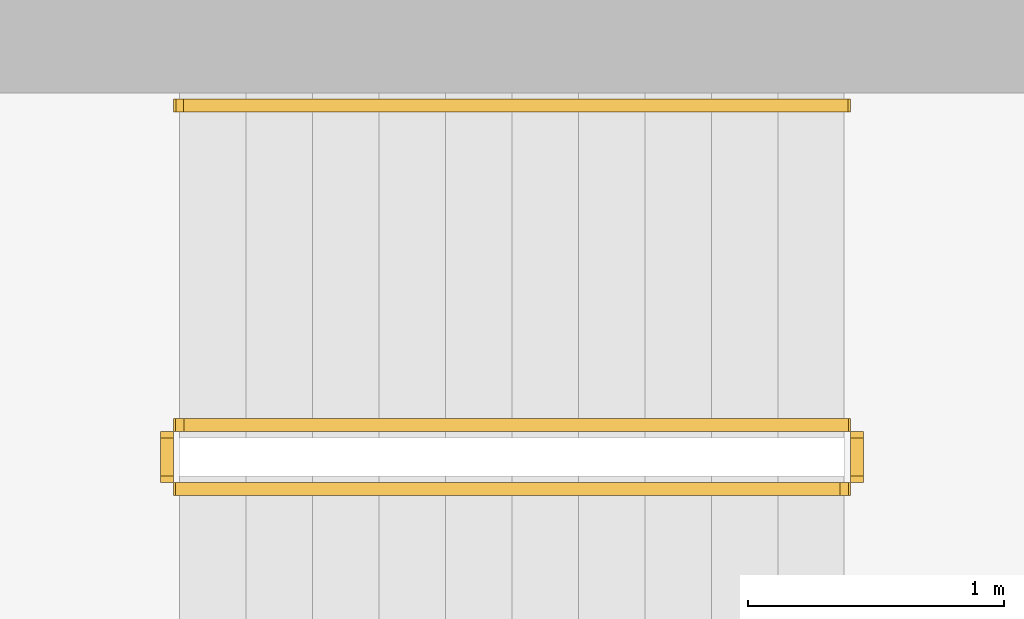
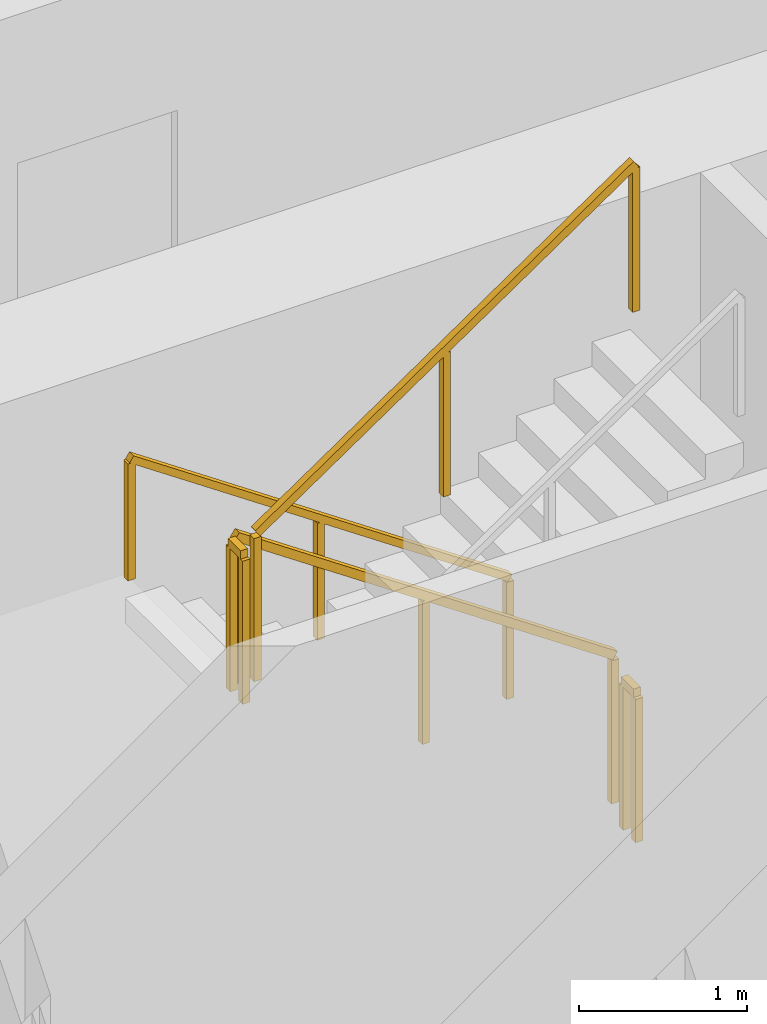
# One storey, part 15 of 16: 5 railings.
"""IFC4 building model written with IfcOpenShell, lengths in metres."""

import ifcopenshell
import ifcopenshell.guid

model = None  # the IFC model being written
_history = None  # IfcOwnerHistory: only IFC2X3 demands one
_inside = {}  # id of a spatial element -> (the spatial element, [elements in it])
_under = {}  # id of a project, library or spatial element -> (it, [spatial elements below it])
_declared = {}  # id of a project -> (the project, [libraries it declares])
_typed = {}  # id of a type object -> (the type object, [elements of that type])
_made_of = {}  # id of a material, layer set ... -> (it, [elements and type objects made of it])


def new_model(schema):
    """Start an empty IFC model of exactly this schema.

    Asked for "IFC4X3", IfcOpenShell would pick the latest addendum, in which some entities
    have other attributes; the version numbers below select the first issue.
    IFC2X3 requires an IfcOwnerHistory on every rooted entity: one is made here for all.
    """
    global model, _history
    if schema == "IFC4X3":
        model = ifcopenshell.file(schema_version=(4, 3, 0, 0))
    else:
        model = ifcopenshell.file(schema=schema)
    _inside.clear()
    _under.clear()
    _declared.clear()
    _typed.clear()
    _made_of.clear()
    _history = None
    if model.schema == "IFC2X3":
        org = make("IfcOrganization", Name="unknown")
        user = make(
            "IfcPersonAndOrganization",
            ThePerson=make("IfcPerson", FamilyName="unknown"),
            TheOrganization=org,
        )
        app = make(
            "IfcApplication",
            ApplicationDeveloper=org,
            Version="unknown",
            ApplicationFullName="unknown",
            ApplicationIdentifier="unknown",
        )
        _history = make(
            "IfcOwnerHistory",
            OwningUser=user,
            OwningApplication=app,
            ChangeAction="ADDED",
            CreationDate=0,
        )
    return model


def make(cls, **values):
    """One entity of the class cls with the attributes given. An attribute that is None is left unset."""
    return model.create_entity(
        cls, **{name: value for name, value in values.items() if value is not None}
    )


def rooted(cls, **values):
    """An entity with a GlobalId (a new one), such as an element, a storey or a relation."""
    return make(cls, GlobalId=ifcopenshell.guid.new(), OwnerHistory=_history, **values)


def si_unit(unit_type, name, prefix=None):
    """IfcSIUnit, for example si_unit("LENGTHUNIT", "METRE", prefix="MILLI")."""
    return make("IfcSIUnit", UnitType=unit_type, Prefix=prefix, Name=name)


def assignment(units):
    """IfcUnitAssignment: the units of a project."""
    return None if units is None else make("IfcUnitAssignment", Units=units)


def point(xyz):
    """IfcCartesianPoint."""
    return None if xyz is None else make("IfcCartesianPoint", Coordinates=xyz)


def direction(xyz):
    """IfcDirection."""
    return None if xyz is None else make("IfcDirection", DirectionRatios=xyz)


def frame(location, z_axis=None, x_axis=None):
    """IfcAxis2Placement3D, a coordinate frame: its origin and axes. An axis left out is left unset."""
    return make(
        "IfcAxis2Placement3D",
        Location=point(location),
        Axis=direction(z_axis),
        RefDirection=direction(x_axis),
    )


def frame_2d(location, x_axis=None):
    """IfcAxis2Placement2D, a coordinate frame in the plane: its origin and x axis."""
    return make(
        "IfcAxis2Placement2D", Location=point(location), RefDirection=direction(x_axis)
    )


def origin():
    """The frame at (0, 0, 0) with its axes left unset."""
    return frame((0.0, 0.0, 0.0))


def origin_2d():
    """The frame at (0, 0) in the plane with its x axis left unset."""
    return frame_2d((0.0, 0.0))


def place(relative_to, where):
    """IfcLocalPlacement: puts the frame where relative to a parent placement (None: the world)."""
    return make(
        "IfcLocalPlacement", PlacementRelTo=relative_to, RelativePlacement=where
    )


def context(
    kind, dimensions, precision=None, world=None, true_north=None, identifier=None
):
    """IfcGeometricRepresentationContext, for example the 3D "Model" context."""
    return make(
        "IfcGeometricRepresentationContext",
        ContextIdentifier=identifier,
        ContextType=kind,
        CoordinateSpaceDimension=dimensions,
        Precision=precision,
        WorldCoordinateSystem=world,
        TrueNorth=true_north,
    )


def subcontext(parent, identifier, kind, view, scale=None):
    """IfcGeometricRepresentationSubContext, for example "Body" below "Model"."""
    return make(
        "IfcGeometricRepresentationSubContext",
        ContextIdentifier=identifier,
        ContextType=kind,
        ParentContext=parent,
        TargetScale=scale,
        TargetView=view,
    )


def project(units=None, contexts=None):
    """IfcProject with its units and contexts."""
    return rooted(
        "IfcProject",
        Name="project",
        RepresentationContexts=contexts,
        UnitsInContext=assignment(units),
    )


def spatial(cls, under=None, at=None, **own):
    """A site, building, storey or space (cls), placed at a placement, below another one or the project."""
    s = rooted(cls, ObjectPlacement=at, **own)
    if under is not None:
        _under.setdefault(under.id(), (under, []))[1].append(s)
    return s


def profile(cls, at=None, kind="AREA", **sizes):
    """A parametric profile (cls). Its sizes go by their IFC names, for example OverallWidth=200.0."""
    return make(cls, ProfileType=kind, Position=at, **sizes)


def rectangle(**sizes):
    """IfcRectangleProfileDef."""
    return profile("IfcRectangleProfileDef", **sizes)


def extrude(swept, where, along, depth):
    """IfcExtrudedAreaSolid: the profile swept, set in the frame where, extruded along a direction by depth."""
    return make(
        "IfcExtrudedAreaSolid",
        SweptArea=swept,
        Position=where,
        ExtrudedDirection=direction(along),
        Depth=depth,
    )


def shape(context_of_items, identifier, shape_type, items):
    """IfcShapeRepresentation: the items that make up one representation, for example the "Body"."""
    return make(
        "IfcShapeRepresentation",
        ContextOfItems=context_of_items,
        RepresentationIdentifier=identifier,
        RepresentationType=shape_type,
        Items=items,
    )


def material(Name=None, Category=None):
    """IfcMaterial."""
    return make("IfcMaterial", Name=Name, Category=Category)


def made_of(thing, what):
    """Note that an element or type object is made of a material, layer set ...; save() writes the relation."""
    if what is not None:
        _made_of.setdefault(what.id(), (what, []))[1].append(thing)
    return thing


def type_object(cls, material=None, **own):
    """A type object (cls), such as IfcWallType, which elements share."""
    return made_of(rooted(cls, **own), material)


def element(
    cls,
    number,
    at=None,
    inside=None,
    cuts=None,
    type_object=None,
    material=None,
    context=None,
    identifier="Body",
    shape_type=None,
    held_by="IfcProductDefinitionShape",
    body=None,
    shapes=None,
    **own,
):
    """One element of the class cls, such as IfcWall. Its Tag is "e" and its number.

    at: its placement. inside: the storey or other place that contains it. cuts: it is an
    opening in that element (IfcRelVoidsElement). A single representation is given by context,
    identifier, shape_type and body (its items); several are given by shapes. held_by: the class
    of the entity that holds the representations. save() writes the other relations.
    """
    e = rooted(cls, Tag="e%d" % number, ObjectPlacement=at, **own)
    if body is not None:
        shapes = [shape(context, identifier, shape_type, body)]
    if shapes is not None:
        e.Representation = make(held_by, Representations=shapes)
    if inside is not None:
        _inside.setdefault(inside.id(), (inside, []))[1].append(e)
    if cuts is not None:
        rooted(
            "IfcRelVoidsElement", RelatingBuildingElement=cuts, RelatedOpeningElement=e
        )
    if type_object is not None:
        _typed.setdefault(type_object.id(), (type_object, []))[1].append(e)
    return made_of(e, material)


def aggregate(whole, parts):
    """IfcRelAggregates: a whole, such as a stair, and the parts it consists of."""
    return rooted("IfcRelAggregates", RelatingObject=whole, RelatedObjects=parts)


def save(model, path):
    """Write the relations noted so far, then the file.

    IfcRelAggregates (storeys below a building ...), IfcRelContainedInSpatialStructure (elements
    in a storey), IfcRelDefinesByType, IfcRelAssociatesMaterial and IfcRelDeclares: one each for
    every whole, place, type object, material and project.
    """
    for whole, parts in _under.values():
        aggregate(whole, parts)
    for where, things in _inside.values():
        rooted(
            "IfcRelContainedInSpatialStructure",
            RelatedElements=things,
            RelatingStructure=where,
        )
    for kind, things in _typed.values():
        rooted("IfcRelDefinesByType", RelatedObjects=things, RelatingType=kind)
    for what, things in _made_of.values():
        rooted("IfcRelAssociatesMaterial", RelatedObjects=things, RelatingMaterial=what)
    for by, libraries in _declared.values():
        rooted("IfcRelDeclares", RelatingContext=by, RelatedDefinitions=libraries)
    model.write(path)


model = new_model("IFC4")

# Units and contexts
model_context = context("Model", 3, precision=1e-05, world=origin(), true_north=direction((0.0, 1.0)))
body_context = subcontext(model_context, "Body", "Model", "MODEL_VIEW")
ifc_project = project(units=[si_unit("LENGTHUNIT", "METRE"), si_unit("AREAUNIT", "SQUARE_METRE"), si_unit("VOLUMEUNIT", "CUBIC_METRE"), si_unit("PLANEANGLEUNIT", "RADIAN"), si_unit("MASSUNIT", "GRAM", prefix="KILO")], contexts=[model_context])

# Site, building, storey
site_placement = place(None, origin())
site = spatial("IfcSite", under=ifc_project, at=site_placement, CompositionType="ELEMENT")
building_placement = place(site_placement, origin())
building = spatial("IfcBuilding", under=site, at=building_placement, Name="Khepri Terraces", CompositionType="ELEMENT")
storey_placement = place(building_placement, frame((0.0, 0.0, 240.60009765625)))
storey = spatial("IfcBuildingStorey", under=building, at=storey_placement, Name="L57", CompositionType="ELEMENT", Elevation=240.60009765625)

# Railings
ifc_material = material(Name="Stainless steel 316", Category="steel")
railing_type_1 = type_object("IfcRailingType", Name="RL-CORE-GUARD", PredefinedType="GUARDRAIL", material=ifc_material)
railing_1_placement = place(storey_placement, frame((-0.25, 8.800048828125, 0.17724609375)))
element("IfcRailing", 1, at=railing_1_placement, inside=storey, type_object=railing_type_1, Name="L57 ST-3 stair guard 1", PredefinedType="GUARDRAIL", context=body_context, shape_type="SweptSolid", body=[
    extrude(rectangle(XDim=0.050048828125, YDim=0.06005859375, at=origin_2d()), frame((0.0, 0.0, 1.070068359375), z_axis=(-0.826240473404, 0.0, 0.563317565952), x_axis=(0.0, -1.0, 0.0)), (0.0, 0.0, 1.0), 3.14697265625),
    extrude(rectangle(XDim=0.050048828125, YDim=0.050048828125, at=origin_2d()), origin(), (0.0, 0.0, 1.0), 1.0400390625),
    extrude(rectangle(XDim=0.050048828125, YDim=0.050048828125, at=origin_2d()), frame((-1.300048828125, 0.0, 0.88623046875)), (0.0, 0.0, 1.0), 1.0400390625),
    extrude(rectangle(XDim=0.050048828125, YDim=0.050048828125, at=origin_2d()), frame((-2.60009765625, 0.0, 1.772705078125)), (0.0, 0.0, 1.0), 1.0400390625),
])
railing_2_placement = place(storey_placement, frame((-2.89990234375, 8.75, 1.949951171875)))
element("IfcRailing", 2, at=railing_2_placement, inside=storey, type_object=railing_type_1, Name="L57 ST-3 stair guard 2", PredefinedType="GUARDRAIL", context=body_context, shape_type="SweptSolid", body=[
    extrude(rectangle(XDim=0.050048828125, YDim=0.06005859375, at=origin_2d()), frame((0.0, 0.0, 1.070068359375), z_axis=(0.0, -1.0, 0.0), x_axis=(1.0, 0.0, 0.0)), (0.0, 0.0, 1.0), 0.14990234375),
    extrude(rectangle(XDim=0.050048828125, YDim=0.050048828125, at=origin_2d()), origin(), (0.0, 0.0, 1.0), 1.0400390625),
    extrude(rectangle(XDim=0.050048828125, YDim=0.050048828125, at=origin_2d()), frame((0.0, -0.14990234375, 0.0)), (0.0, 0.0, 1.0), 1.0400390625),
])
railing_3_placement = place(storey_placement, frame((-2.85009765625, 8.550048828125, 2.127197265625)))
element("IfcRailing", 3, at=railing_3_placement, inside=storey, type_object=railing_type_1, Name="L57 ST-3 stair guard 3", PredefinedType="GUARDRAIL", context=body_context, shape_type="SweptSolid", body=[
    extrude(rectangle(XDim=0.050048828125, YDim=0.06005859375, at=origin_2d()), frame((0.0, 0.0, 1.070068359375), z_axis=(0.826240473404, 0.0, 0.563317565952), x_axis=(0.0, 1.0, 0.0)), (0.0, 0.0, 1.0), 3.14697265625),
    extrude(rectangle(XDim=0.050048828125, YDim=0.050048828125, at=origin_2d()), origin(), (0.0, 0.0, 1.0), 1.0400390625),
    extrude(rectangle(XDim=0.050048828125, YDim=0.050048828125, at=origin_2d()), frame((1.300048828125, 0.0, 0.88623046875)), (0.0, 0.0, 1.0), 1.0400390625),
    extrude(rectangle(XDim=0.050048828125, YDim=0.050048828125, at=origin_2d()), frame((2.60009765625, 0.0, 1.772705078125)), (0.0, 0.0, 1.0), 1.0400390625),
])
railing_4_placement = place(storey_placement, frame((-0.199951171875, 8.75, 0.0)))
element("IfcRailing", 4, at=railing_4_placement, inside=storey, type_object=railing_type_1, Name="L57 ST-3 stair guard 4", PredefinedType="GUARDRAIL", context=body_context, shape_type="SweptSolid", body=[
    extrude(rectangle(XDim=0.050048828125, YDim=0.06005859375, at=origin_2d()), frame((0.0, 0.0, 1.070068359375), z_axis=(0.0, -1.0, 0.0), x_axis=(1.0, 0.0, 0.0)), (0.0, 0.0, 1.0), 0.14990234375),
    extrude(rectangle(XDim=0.050048828125, YDim=0.050048828125, at=origin_2d()), origin(), (0.0, 0.0, 1.0), 1.0400390625),
    extrude(rectangle(XDim=0.050048828125, YDim=0.050048828125, at=origin_2d()), frame((0.0, -0.14990234375, 0.0)), (0.0, 0.0, 1.0), 1.0400390625),
])
railing_type_2 = type_object("IfcRailingType", Name="RL-CORE-HANDRAIL", PredefinedType="HANDRAIL", material=ifc_material)
railing_5_placement = place(storey_placement, frame((-0.25, 10.050048828125, 0.17724609375)))
element("IfcRailing", 5, at=railing_5_placement, inside=storey, type_object=railing_type_2, Name="L57 ST-3 stair handrail 1", PredefinedType="HANDRAIL", context=body_context, shape_type="SweptSolid", body=[
    extrude(rectangle(XDim=0.050048828125, YDim=0.050048828125, at=origin_2d()), frame((0.0, 0.0, 0.875), z_axis=(-0.826240473404, 0.0, 0.563317565952), x_axis=(0.0, -1.0, 0.0)), (0.0, 0.0, 1.0), 3.14697265625),
    extrude(rectangle(XDim=0.050048828125, YDim=0.050048828125, at=origin_2d()), origin(), (0.0, 0.0, 1.0), 0.849853515625),
    extrude(rectangle(XDim=0.050048828125, YDim=0.050048828125, at=origin_2d()), frame((-1.300048828125, 0.0, 0.88623046875)), (0.0, 0.0, 1.0), 0.849853515625),
    extrude(rectangle(XDim=0.050048828125, YDim=0.050048828125, at=origin_2d()), frame((-2.60009765625, 0.0, 1.772705078125)), (0.0, 0.0, 1.0), 0.849853515625),
])

save(model, "model.ifc")
